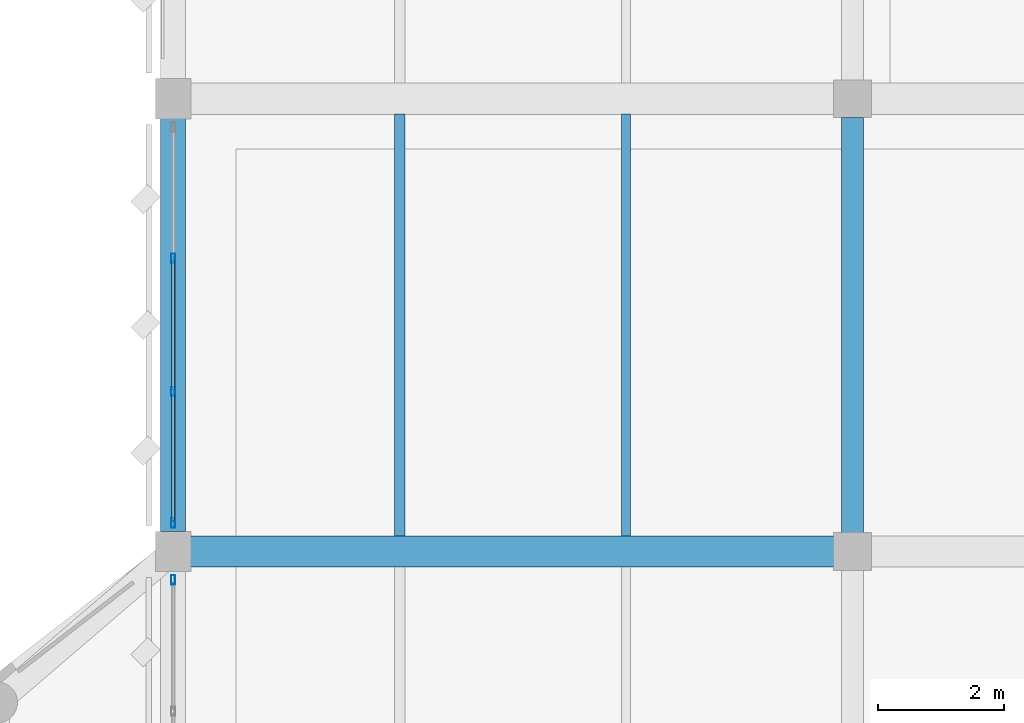
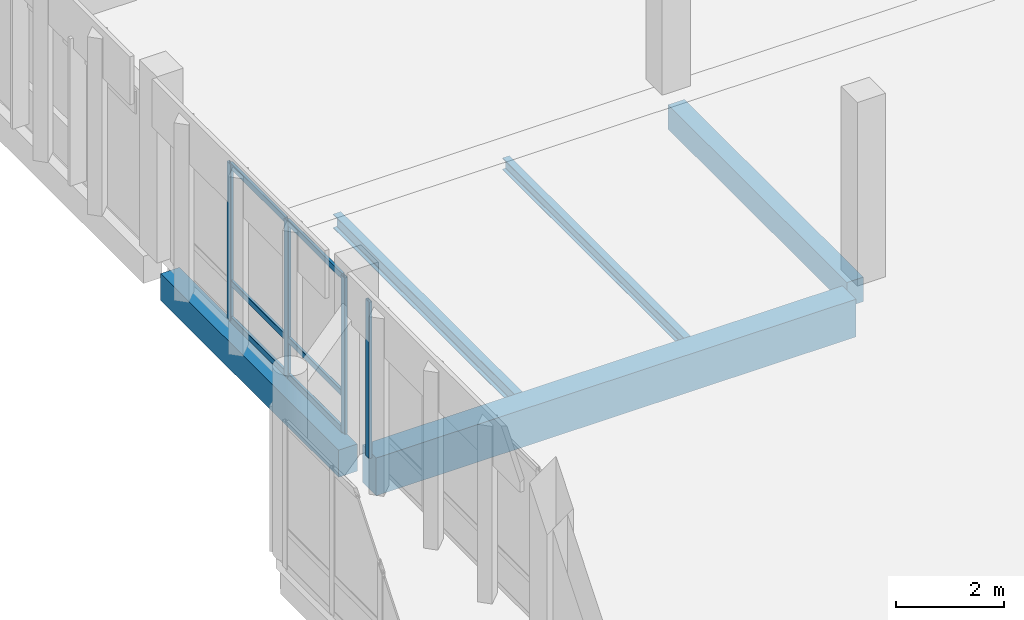
# One storey, part 35 of 158: 10 members, 5 beams, 2 elements without a shape of their own.
"""IFC4 building model written with IfcOpenShell, lengths in metres."""

from ifc_helpers import new_model, si_unit, direction, frame, origin, origin_2d, place, context, subcontext, project, spatial, rectangle, hollow_rectangle, i_section, extrude, material, material_profile, profile_set, type_object, element, aggregate, save


model = new_model("IFC4")

# Units and contexts
model_context = context("Model", 3, precision=1e-05, world=origin(), true_north=direction((0.0, 1.0)))
body_context = subcontext(model_context, "Body", "Model", "MODEL_VIEW")
ifc_project = project(units=[si_unit("LENGTHUNIT", "METRE"), si_unit("AREAUNIT", "SQUARE_METRE"), si_unit("VOLUMEUNIT", "CUBIC_METRE"), si_unit("PLANEANGLEUNIT", "RADIAN"), si_unit("MASSUNIT", "GRAM", prefix="KILO")], contexts=[model_context])

# Site, building, storey
site_placement = place(None, origin())
site = spatial("IfcSite", under=ifc_project, at=site_placement, CompositionType="ELEMENT")
building_placement = place(site_placement, origin())
building = spatial("IfcBuilding", under=site, at=building_placement, Name="Lusvemor Sports Hall", CompositionType="ELEMENT")
storey_placement = place(building_placement, frame((0.0, 0.0, 10.800048828125)))
storey = spatial("IfcBuildingStorey", under=building, at=storey_placement, Name="L02", CompositionType="ELEMENT", Elevation=10.800048828125)

# Beam
ifc_material_1 = material(Name="Concrete C40/50", Category="concrete")
ifc_material_profile_1 = material_profile(ifc_material_1, rectangle(XDim=0.35009765625, YDim=0.550048828125, at=origin_2d()), Name="RC350x550")
ifc_profile_set_1 = profile_set([ifc_material_profile_1], Name="Concrete C40/50")
beam_type_1 = type_object("IfcBeamType", Name="BEAM_RC_550", PredefinedType="BEAM", material=ifc_profile_set_1)
beam_1_placement = place(storey_placement, frame((10.800048828125, 90.2958984375, -0.53515625), z_axis=(0.0, 1.0, 0.0), x_axis=(-1.0, 0.0, 0.0)))
element("IfcBeam", 1, at=beam_1_placement, inside=storey, type_object=beam_type_1, Name="Beam L02 2:M-N", PredefinedType="BEAM", context=body_context, shape_type="SweptSolid", body=[
    extrude(rectangle(XDim=0.35009765625, YDim=0.550048828125, at=origin_2d()), origin(), (0.0, 0.0, 1.0), 6.608154296875),
])

# Curtain wall, member
ifc_material_2 = material(Name="Thermally broken bronze-anodized aluminium", Category="aluminium")
curtain_wall_type = type_object("IfcCurtainWallType", Name="CW_WING_B", PredefinedType="NOTDEFINED", material=ifc_material_2)
curtain_wall_1_placement = place(storey_placement, origin())
curtain_wall_1 = element("IfcCurtainWall", 2, at=curtain_wall_1_placement, inside=storey, type_object=curtain_wall_type, Name="Curtain Wall CW-L02-W-0-5", PredefinedType="NOTDEFINED")
ifc_material_3 = material(Name="Thermally broken bronze-anodized aluminium", Category="aluminium")
ifc_material_profile_2 = material_profile(ifc_material_3, hollow_rectangle(XDim=0.06494140625, YDim=0.14990234375, WallThickness=0.00390625, InnerFilletRadius=0.00390625, OuterFilletRadius=0.008056640625, at=origin_2d()), Name="CWMUL150x65x4")
ifc_profile_set_2 = profile_set([ifc_material_profile_2], Name="Thermally broken bronze-anodized aluminium")
member_type_1 = type_object("IfcMemberType", Name="CW_MUL_B", PredefinedType="MULLION", material=ifc_profile_set_2)
member_1_placement = place(storey_placement, frame((0.0, 89.547607421875, 0.0), z_axis=(0.0, 0.0, 1.0), x_axis=(-1.0, 0.0, 0.0)))
member_1 = element("IfcMember", 3, at=member_1_placement, type_object=member_type_1, Name="CW02 mullion 4", PredefinedType="MULLION", context=body_context, shape_type="SweptSolid", body=[
    extrude(hollow_rectangle(XDim=0.06494140625, YDim=0.14990234375, WallThickness=0.00390625, InnerFilletRadius=0.00390625, OuterFilletRadius=0.008056640625, at=origin_2d()), origin(), (0.0, 0.0, 1.0), 3.52001953125),
])
aggregate(curtain_wall_1, [member_1])

# Curtain wall, members
curtain_wall_2_placement = place(storey_placement, origin())
curtain_wall_2 = element("IfcCurtainWall", 4, at=curtain_wall_2_placement, inside=storey, type_object=curtain_wall_type, Name="Curtain Wall CW-L02-W-0-6", PredefinedType="NOTDEFINED")
member_2_placement = place(storey_placement, frame((0.0, 90.452392578125, 0.0), z_axis=(0.0, 0.0, 1.0), x_axis=(-1.0, 0.0, 0.0)))
member_2 = element("IfcMember", 5, at=member_2_placement, type_object=member_type_1, Name="CW02 mullion 1", PredefinedType="MULLION", context=body_context, shape_type="SweptSolid", body=[
    extrude(hollow_rectangle(XDim=0.06494140625, YDim=0.14990234375, WallThickness=0.00390625, InnerFilletRadius=0.00390625, OuterFilletRadius=0.008056640625, at=origin_2d()), origin(), (0.0, 0.0, 1.0), 3.52001953125),
])
member_3_placement = place(storey_placement, frame((0.0, 92.5400390625, 0.0), z_axis=(0.0, 0.0, 1.0), x_axis=(-1.0, 0.0, 0.0)))
member_3 = element("IfcMember", 6, at=member_3_placement, type_object=member_type_1, Name="CW02 mullion 2", PredefinedType="MULLION", context=body_context, shape_type="SweptSolid", body=[
    extrude(hollow_rectangle(XDim=0.06494140625, YDim=0.14990234375, WallThickness=0.00390625, InnerFilletRadius=0.00390625, OuterFilletRadius=0.008056640625, at=origin_2d()), origin(), (0.0, 0.0, 1.0), 3.52001953125),
])
member_4_placement = place(storey_placement, frame((0.0, 94.659912109375, 0.0), z_axis=(0.0, 0.0, 1.0), x_axis=(-1.0, 0.0, 0.0)))
member_4 = element("IfcMember", 7, at=member_4_placement, type_object=member_type_1, Name="CW02 mullion 3", PredefinedType="MULLION", context=body_context, shape_type="SweptSolid", body=[
    extrude(hollow_rectangle(XDim=0.06494140625, YDim=0.14990234375, WallThickness=0.00390625, InnerFilletRadius=0.00390625, OuterFilletRadius=0.008056640625, at=origin_2d()), origin(), (0.0, 0.0, 1.0), 3.52001953125),
])
ifc_material_4 = material(Name="Thermally broken bronze-anodized aluminium", Category="aluminium")
ifc_material_profile_3 = material_profile(ifc_material_4, hollow_rectangle(XDim=0.06005859375, YDim=0.135009765625, WallThickness=0.00390625, InnerFilletRadius=0.00390625, OuterFilletRadius=0.008056640625, at=origin_2d()), Name="CWTRN135x60x4")
ifc_profile_set_3 = profile_set([ifc_material_profile_3], Name="Thermally broken bronze-anodized aluminium")
member_type_2 = type_object("IfcMemberType", Name="CW_TRN_B", PredefinedType="USERDEFINED", material=ifc_profile_set_3)
member_5_placement = place(storey_placement, frame((0.0, 90.485107421875, 0.030029296875), z_axis=(0.0, 1.0, 0.0), x_axis=(-1.0, 0.0, 0.0)))
member_5 = element("IfcMember", 8, at=member_5_placement, type_object=member_type_2, Name="CW02 transom 1.1", ObjectType="TRANSOM", PredefinedType="USERDEFINED", context=body_context, shape_type="SweptSolid", body=[
    extrude(hollow_rectangle(XDim=0.06005859375, YDim=0.135009765625, WallThickness=0.00390625, InnerFilletRadius=0.00390625, OuterFilletRadius=0.008056640625, at=origin_2d()), origin(), (0.0, 0.0, 1.0), 2.0224609375),
])
member_6_placement = place(storey_placement, frame((0.0, 90.485107421875, 0.849853515625), z_axis=(0.0, 1.0, 0.0), x_axis=(-1.0, 0.0, 0.0)))
member_6 = element("IfcMember", 9, at=member_6_placement, type_object=member_type_2, Name="CW02 transom 1.2", ObjectType="TRANSOM", PredefinedType="USERDEFINED", context=body_context, shape_type="SweptSolid", body=[
    extrude(hollow_rectangle(XDim=0.06005859375, YDim=0.135009765625, WallThickness=0.00390625, InnerFilletRadius=0.00390625, OuterFilletRadius=0.008056640625, at=origin_2d()), origin(), (0.0, 0.0, 1.0), 2.0224609375),
])
member_7_placement = place(storey_placement, frame((0.0, 90.485107421875, 3.489990234375), z_axis=(0.0, 1.0, 0.0), x_axis=(-1.0, 0.0, 0.0)))
member_7 = element("IfcMember", 10, at=member_7_placement, type_object=member_type_2, Name="CW02 transom 1.3", ObjectType="TRANSOM", PredefinedType="USERDEFINED", context=body_context, shape_type="SweptSolid", body=[
    extrude(hollow_rectangle(XDim=0.06005859375, YDim=0.135009765625, WallThickness=0.00390625, InnerFilletRadius=0.00390625, OuterFilletRadius=0.008056640625, at=origin_2d()), origin(), (0.0, 0.0, 1.0), 2.0224609375),
])
member_8_placement = place(storey_placement, frame((0.0, 92.572509765625, 0.030029296875), z_axis=(0.0, 1.0, 0.0), x_axis=(-1.0, 0.0, 0.0)))
member_8 = element("IfcMember", 11, at=member_8_placement, type_object=member_type_2, Name="CW02 transom 2.1", ObjectType="TRANSOM", PredefinedType="USERDEFINED", context=body_context, shape_type="SweptSolid", body=[
    extrude(hollow_rectangle(XDim=0.06005859375, YDim=0.135009765625, WallThickness=0.00390625, InnerFilletRadius=0.00390625, OuterFilletRadius=0.008056640625, at=origin_2d()), origin(), (0.0, 0.0, 1.0), 2.054931640625),
])
member_9_placement = place(storey_placement, frame((0.0, 92.572509765625, 0.849853515625), z_axis=(0.0, 1.0, 0.0), x_axis=(-1.0, 0.0, 0.0)))
member_9 = element("IfcMember", 12, at=member_9_placement, type_object=member_type_2, Name="CW02 transom 2.2", ObjectType="TRANSOM", PredefinedType="USERDEFINED", context=body_context, shape_type="SweptSolid", body=[
    extrude(hollow_rectangle(XDim=0.06005859375, YDim=0.135009765625, WallThickness=0.00390625, InnerFilletRadius=0.00390625, OuterFilletRadius=0.008056640625, at=origin_2d()), origin(), (0.0, 0.0, 1.0), 2.054931640625),
])
member_10_placement = place(storey_placement, frame((0.0, 92.572509765625, 3.489990234375), z_axis=(0.0, 1.0, 0.0), x_axis=(-1.0, 0.0, 0.0)))
member_10 = element("IfcMember", 13, at=member_10_placement, type_object=member_type_2, Name="CW02 transom 2.3", ObjectType="TRANSOM", PredefinedType="USERDEFINED", context=body_context, shape_type="SweptSolid", body=[
    extrude(hollow_rectangle(XDim=0.06005859375, YDim=0.135009765625, WallThickness=0.00390625, InnerFilletRadius=0.00390625, OuterFilletRadius=0.008056640625, at=origin_2d()), origin(), (0.0, 0.0, 1.0), 2.054931640625),
])
aggregate(curtain_wall_2, [member_2, member_3, member_4, member_5, member_6, member_7, member_8, member_9, member_10])

# Beams
ifc_material_5 = material(Name="Concrete C40/50", Category="concrete")
ifc_material_profile_4 = material_profile(ifc_material_5, rectangle(XDim=0.5, YDim=0.85009765625, at=origin_2d()), Name="RC500x850")
ifc_profile_set_4 = profile_set([ifc_material_profile_4], Name="Concrete C40/50")
beam_type_2 = type_object("IfcBeamType", Name="GIRD_RC_850", PredefinedType="T_BEAM", material=ifc_profile_set_4)
beam_2_placement = place(storey_placement, frame((0.27587890625, 90.0, -0.68505859375), z_axis=(1.0, 0.0, 0.0), x_axis=(0.0, 1.0, 0.0)))
element("IfcBeam", 14, at=beam_2_placement, inside=storey, type_object=beam_type_2, Name="Beam L02 M:1-2", PredefinedType="T_BEAM", context=body_context, shape_type="SweptSolid", body=[
    extrude(rectangle(XDim=0.5, YDim=0.85009765625, at=origin_2d()), origin(), (0.0, 0.0, 1.0), 10.22802734375),
])
ifc_material_6 = material(Name="Steel S355", Category="steel")
ifc_material_profile_5 = material_profile(ifc_material_6, i_section(OverallWidth=0.14794921875, OverallDepth=0.26611328125, WebThickness=0.007568359375, FlangeThickness=0.012939453125, FilletRadius=0.012939453125, at=origin_2d()), Name="W250x44.8")
ifc_profile_set_5 = profile_set([ifc_material_profile_5], Name="Steel S355")
beam_type_3 = type_object("IfcBeamType", Name="JOIST_ST_250M", PredefinedType="JOIST", material=ifc_profile_set_5)
beam_3_placement = place(storey_placement, frame((7.199951171875, 90.24609375, -0.39697265625), z_axis=(0.0, 1.0, 0.0), x_axis=(-1.0, 0.0, 0.0)))
element("IfcBeam", 15, at=beam_3_placement, inside=storey, type_object=beam_type_3, Name="Secondary Joist L02 1-2/M-N #2", PredefinedType="JOIST", context=body_context, shape_type="SweptSolid", body=[
    extrude(i_section(OverallWidth=0.14794921875, OverallDepth=0.26611328125, WebThickness=0.007568359375, FlangeThickness=0.012939453125, FilletRadius=0.012939453125, at=origin_2d()), origin(), (0.0, 0.0, 1.0), 6.7080078125),
])
ifc_material_7 = material(Name="Steel S355", Category="steel")
ifc_material_profile_6 = material_profile(ifc_material_7, i_section(OverallWidth=0.1669921875, OverallDepth=0.31689453125, WebThickness=0.007568359375, FlangeThickness=0.01318359375, FilletRadius=0.014892578125, at=origin_2d()), Name="W310x52.0")
ifc_profile_set_6 = profile_set([ifc_material_profile_6], Name="Steel S355")
beam_type_4 = type_object("IfcBeamType", Name="JOIST_ST_310M", PredefinedType="JOIST", material=ifc_profile_set_6)
beam_4_placement = place(storey_placement, frame((3.60009765625, 90.24609375, -0.422607421875), z_axis=(0.0, 1.0, 0.0), x_axis=(-1.0, 0.0, 0.0)))
element("IfcBeam", 16, at=beam_4_placement, inside=storey, type_object=beam_type_4, Name="Secondary Joist L02 1-2/M-N #1", PredefinedType="JOIST", context=body_context, shape_type="SweptSolid", body=[
    extrude(i_section(OverallWidth=0.1669921875, OverallDepth=0.31689453125, WebThickness=0.007568359375, FlangeThickness=0.01318359375, FilletRadius=0.014892578125, at=origin_2d()), origin(), (0.0, 0.0, 1.0), 6.7080078125),
])
ifc_material_8 = material(Name="Concrete C40/50", Category="concrete")
ifc_material_profile_7 = material_profile(ifc_material_8, rectangle(XDim=0.39990234375, YDim=0.610107421875, at=origin_2d()), Name="RC400x610")
ifc_profile_set_7 = profile_set([ifc_material_profile_7], Name="Concrete C40/50")
beam_type_5 = type_object("IfcBeamType", Name="SPAND_EXT_650", PredefinedType="SPANDREL", material=ifc_profile_set_7)
beam_5_placement = place(storey_placement, frame((0.0, 90.31591796875, -0.56494140625), z_axis=(0.0, 1.0, 0.0), x_axis=(-1.0, 0.0, 0.0)))
element("IfcBeam", 17, at=beam_5_placement, inside=storey, type_object=beam_type_5, Name="Beam L02 1:M-N", PredefinedType="SPANDREL", context=body_context, shape_type="SweptSolid", body=[
    extrude(rectangle(XDim=0.39990234375, YDim=0.610107421875, at=origin_2d()), origin(), (0.0, 0.0, 1.0), 6.568115234375),
])

save(model, "model.ifc")
